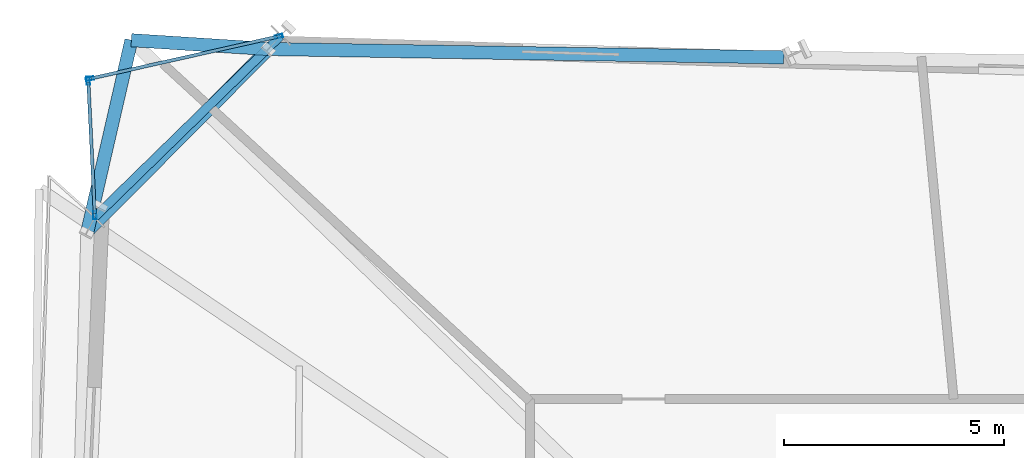
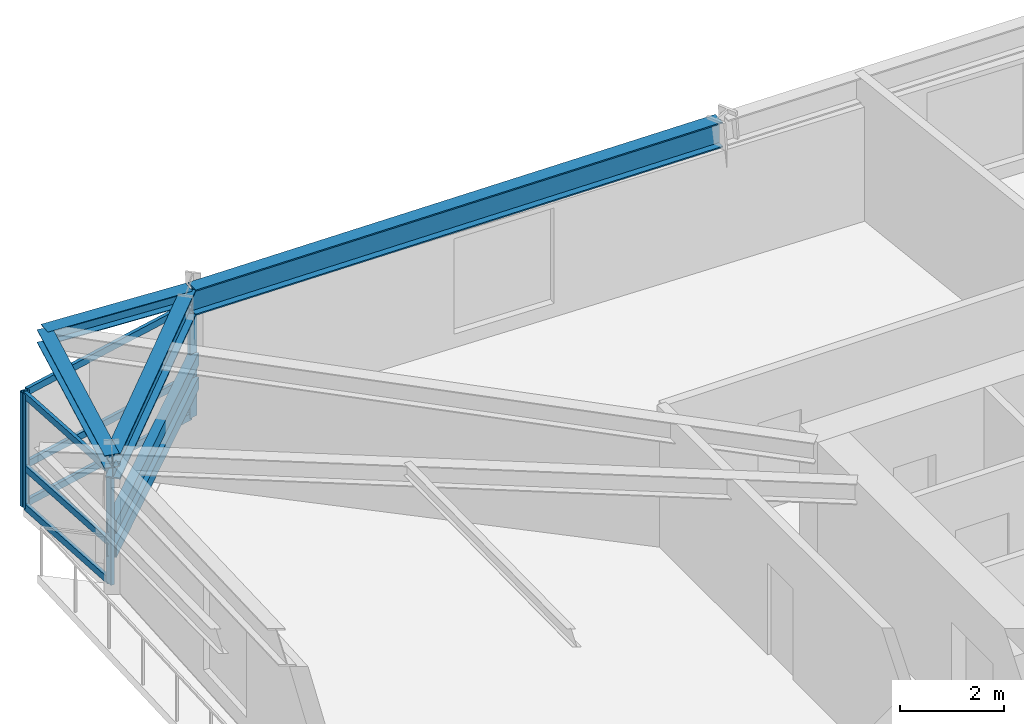
# One storey, part 8 of 19: 12 members, 4 beams, 2 elements without a shape of their own.
"""IFC4 building model written with IfcOpenShell, lengths in metres."""

from ifc_helpers import new_model, si_unit, direction, frame, origin, origin_2d, place, context, subcontext, project, spatial, hollow_rectangle, i_section, extrude, source, transform, mapped, material, material_profile, profile_set, type_object, element, aggregate, save


model = new_model("IFC4")

# Units and contexts
model_context = context("Model", 3, precision=1e-05, world=origin(), true_north=direction((0.0, 1.0)))
body_context = subcontext(model_context, "Body", "Model", "MODEL_VIEW")
ifc_project = project(units=[si_unit("LENGTHUNIT", "METRE"), si_unit("AREAUNIT", "SQUARE_METRE"), si_unit("VOLUMEUNIT", "CUBIC_METRE"), si_unit("PLANEANGLEUNIT", "RADIAN"), si_unit("MASSUNIT", "GRAM", prefix="KILO")], contexts=[model_context])

# Site, building, storey
site_placement = place(None, origin())
site = spatial("IfcSite", under=ifc_project, at=site_placement, CompositionType="ELEMENT")
building_placement = place(site_placement, origin())
building = spatial("IfcBuilding", under=site, at=building_placement, Name="Olszyna Solenne Hotel", CompositionType="ELEMENT")
storey_placement = place(building_placement, frame((0.0, 0.0, 84.39990234375)))
storey = spatial("IfcBuildingStorey", under=building, at=storey_placement, Name="L21", CompositionType="ELEMENT", Elevation=84.39990234375)

# Beams
ifc_material_1 = material(Name="Steel S355J2", Category="steel")
ifc_material_profile_1 = material_profile(ifc_material_1, i_section(OverallWidth=0.300048828125, OverallDepth=0.60009765625, WebThickness=0.015380859375, FlangeThickness=0.030029296875, at=origin_2d()), Name="HEB 600", Category="load-bearing")
ifc_profile_set_1 = profile_set([ifc_material_profile_1], Name="Steel S355J2")
beam_type_1 = type_object("IfcBeamType", Name="BM-S2", PredefinedType="BEAM", material=ifc_profile_set_1)
shared_shape_1 = source(origin(), body_context, "Body", "SweptSolid", [
    extrude(i_section(OverallWidth=0.300048828125, OverallDepth=0.60009765625, WebThickness=0.015380859375, FlangeThickness=0.030029296875, at=origin_2d()), origin(), (0.0, 0.0, 1.0), 11.651611328125),
])
beam_1_placement = place(storey_placement, frame((33.2177734375, 44.1123046875, 3.0), z_axis=(-0.999867119896, 0.016301611921, 0.0), x_axis=(-0.016301611921, -0.999867119896, 0.0)))
element("IfcBeam", 1, at=beam_1_placement, inside=storey, type_object=beam_type_1, Name="Perimeter spandrel beam BM-S2 B-L21-0636", PredefinedType="BEAM", context=body_context, shape_type="MappedRepresentation", body=[
    mapped(shared_shape_1, transform((0.0, 0.0, 0.0), x_axis=(1.0, 0.0, 0.0), y_axis=(0.0, 1.0, 0.0), z_axis=(0.0, 0.0, 1.0), scale=1.0)),
])
shared_shape_2 = source(origin(), body_context, "Body", "SweptSolid", [
    extrude(i_section(OverallWidth=0.300048828125, OverallDepth=0.60009765625, WebThickness=0.015380859375, FlangeThickness=0.030029296875, at=origin_2d()), origin(), (0.0, 0.0, 1.0), 5.715087890625),
])
beam_2_placement = place(storey_placement, frame((21.46533203125, 44.260498046875, 3.0), z_axis=(-0.704603317342, -0.7096014129, 0.0), x_axis=(0.7096014129, -0.704603317342, 0.0)))
element("IfcBeam", 2, at=beam_2_placement, inside=storey, type_object=beam_type_1, Name="Perimeter spandrel beam BM-S2 B-L21-0637", PredefinedType="BEAM", context=body_context, shape_type="MappedRepresentation", body=[
    mapped(shared_shape_2, transform((0.0, 0.0, 0.0), x_axis=(1.0, 0.0, 0.0), y_axis=(0.0, 1.0, 0.0), z_axis=(0.0, 0.0, 1.0), scale=1.0)),
])
ifc_material_profile_2 = material_profile(ifc_material_1, i_section(OverallWidth=0.300048828125, OverallDepth=0.31005859375, WebThickness=0.009033203125, FlangeThickness=0.015380859375, at=origin_2d()), Name="HEA 320", Category="load-bearing")
ifc_profile_set_2 = profile_set([ifc_material_profile_2], Name="Steel S355J2")
beam_type_2 = type_object("IfcBeamType", Name="BM-G3", PredefinedType="BEAM", material=ifc_profile_set_2)
shared_shape_3 = source(origin(), body_context, "Body", "SweptSolid", [
    extrude(i_section(OverallWidth=0.300048828125, OverallDepth=0.31005859375, WebThickness=0.009033203125, FlangeThickness=0.015380859375, at=origin_2d()), origin(), (0.0, 0.0, 1.0), 3.119384765625),
])
beam_3_placement = place(storey_placement, frame((21.507568359375, 44.30322265625, 3.14501953125), z_axis=(-0.997943597701, 0.064098173203, 0.0), x_axis=(-0.064098173203, -0.997943597701, 0.0)))
element("IfcBeam", 3, at=beam_3_placement, inside=storey, type_object=beam_type_2, Name="Prism side edge beam BM-G3 B-L21-0654", PredefinedType="BEAM", context=body_context, shape_type="MappedRepresentation", body=[
    mapped(shared_shape_3, transform((0.0, 0.0, 0.0), x_axis=(1.0, 0.0, 0.0), y_axis=(0.0, 1.0, 0.0), z_axis=(0.0, 0.0, 1.0), scale=1.0)),
])
shared_shape_4 = source(origin(), body_context, "Body", "SweptSolid", [
    extrude(i_section(OverallWidth=0.300048828125, OverallDepth=0.31005859375, WebThickness=0.009033203125, FlangeThickness=0.015380859375, at=origin_2d()), origin(), (0.0, 0.0, 1.0), 4.453857421875),
])
beam_4_placement = place(storey_placement, frame((17.396240234375, 40.16259765625, 3.14501953125), z_axis=(0.224138842534, 0.974557222162, 0.0), x_axis=(-0.974557222162, 0.224138842534, 0.0)))
element("IfcBeam", 4, at=beam_4_placement, inside=storey, type_object=beam_type_2, Name="Prism side edge beam BM-G3 B-L21-0655", PredefinedType="BEAM", context=body_context, shape_type="MappedRepresentation", body=[
    mapped(shared_shape_4, transform((0.0, 0.0, 0.0), x_axis=(1.0, 0.0, 0.0), y_axis=(0.0, 1.0, 0.0), z_axis=(0.0, 0.0, 1.0), scale=1.0)),
])

# Members
ifc_material_profile_3 = material_profile(ifc_material_1, hollow_rectangle(XDim=0.199951171875, YDim=0.300048828125, WallThickness=0.01611328125, at=origin_2d()), Name="RHS 300x200x16", Category="load-bearing")
ifc_profile_set_3 = profile_set([ifc_material_profile_3], Name="Steel S355J2")
member_type_1 = type_object("IfcMemberType", Name="CH-PR1", PredefinedType="CHORD", material=ifc_profile_set_3)
shared_shape_5 = source(origin(), body_context, "Body", "SweptSolid", [
    extrude(hollow_rectangle(XDim=0.199951171875, YDim=0.300048828125, WallThickness=0.01611328125, at=origin_2d()), origin(), (0.0, 0.0, 1.0), 5.88818359375),
])
for number, where, z_axis, x_axis, name in (
    (5, (21.78076171875, 44.597900390625, 1.35009765625), (-0.715658090364, -0.698450784019, 0.0), (0.698450784019, -0.715658090364, 0.0), "Glass-prism tie chord CH-PR1 M-L21-PR1"),
    (6, (21.78076171875, 44.597900390625, 0.780029296875), (-0.715658090364, -0.698450784019, 0.0), (0.698450784019, -0.715658090364, 0.0), "Glass-prism tie chord CH-PR1 M-L21-PR2"),
):
    element("IfcMember", number, at=place(storey_placement, frame(where, z_axis=z_axis, x_axis=x_axis)), inside=storey, type_object=member_type_1, Name=name, PredefinedType="CHORD", context=body_context, shape_type="MappedRepresentation", body=[
        mapped(shared_shape_5, transform((0.0, 0.0, 0.0), x_axis=(1.0, 0.0, 0.0), y_axis=(0.0, 1.0, 0.0), z_axis=(0.0, 0.0, 1.0), scale=1.0)),
    ])

# Curtain wall, members
ifc_material_2 = material(Name="Anodised bronze aluminium", Category="aluminium")
curtain_wall_type = type_object("IfcCurtainWallType", Name="CW-SYS-5", PredefinedType="NOTDEFINED", material=ifc_material_2)
curtain_wall_1_placement = place(storey_placement, origin())
curtain_wall_1 = element("IfcCurtainWall", 7, at=curtain_wall_1_placement, inside=storey, type_object=curtain_wall_type, Name="Unitised curtain wall CW-SYS-5 CW-L21-02", PredefinedType="NOTDEFINED")
ifc_material_profile_4 = material_profile(ifc_material_2, hollow_rectangle(XDim=0.074951171875, YDim=0.179931640625, WallThickness=0.00439453125, at=origin_2d()), Name="MULL 180x75x4.5", Category="load-bearing")
ifc_profile_set_4 = profile_set([ifc_material_profile_4], Name="Anodised bronze aluminium")
member_type_2 = type_object("IfcMemberType", Name="CW-M2", PredefinedType="MULLION", material=ifc_profile_set_4)
shared_shape_6 = source(origin(), body_context, "Body", "SweptSolid", [
    extrude(hollow_rectangle(XDim=0.074951171875, YDim=0.179931640625, WallThickness=0.00439453125, at=origin_2d()), origin(), (0.0, 0.0, 1.0), 2.692138671875),
])
member_1_placement = place(storey_placement, frame((17.41455078125, 43.5810546875, 0.0), z_axis=(0.0, 0.0, 1.0), x_axis=(0.998791144304, 0.049155366541, 0.0)))
member_1 = element("IfcMember", 8, at=member_1_placement, type_object=member_type_2, Name="Curtain-wall mullion CW-M2 CM-L21-02-01", PredefinedType="MULLION", context=body_context, shape_type="MappedRepresentation", body=[
    mapped(shared_shape_6, transform((0.0, 0.0, 0.0), x_axis=(1.0, 0.0, 0.0), y_axis=(0.0, 1.0, 0.0), z_axis=(0.0, 0.0, 1.0), scale=1.0)),
])
member_2_placement = place(storey_placement, frame((17.565185546875, 40.52294921875, 0.0), z_axis=(0.0, 0.0, 1.0), x_axis=(0.998791144304, 0.049155366541, 0.0)))
member_2 = element("IfcMember", 9, at=member_2_placement, type_object=member_type_2, Name="Curtain-wall mullion CW-M2 CM-L21-02-02", PredefinedType="MULLION", context=body_context, shape_type="MappedRepresentation", body=[
    mapped(shared_shape_6, transform((0.0, 0.0, 0.0), x_axis=(1.0, 0.0, 0.0), y_axis=(0.0, 1.0, 0.0), z_axis=(0.0, 0.0, 1.0), scale=1.0)),
])

curtain_wall_2_placement = place(storey_placement, origin())
curtain_wall_2 = element("IfcCurtainWall", 10, at=curtain_wall_2_placement, inside=storey, type_object=curtain_wall_type, Name="Unitised curtain wall CW-SYS-5 CW-L21-03", PredefinedType="NOTDEFINED")
member_3_placement = place(storey_placement, frame((17.449462890625, 43.626708984375, 0.0), z_axis=(0.0, 0.0, 1.0), x_axis=(-0.218767933736, 0.975776916702, 0.0)))
member_3 = element("IfcMember", 11, at=member_3_placement, type_object=member_type_2, Name="Curtain-wall mullion CW-M2 CM-L21-03-01", PredefinedType="MULLION", context=body_context, shape_type="MappedRepresentation", body=[
    mapped(shared_shape_6, transform((0.0, 0.0, 0.0), x_axis=(1.0, 0.0, 0.0), y_axis=(0.0, 1.0, 0.0), z_axis=(0.0, 0.0, 1.0), scale=1.0)),
])
member_4_placement = place(storey_placement, frame((21.744140625, 44.589599609375, 0.0), z_axis=(0.0, 0.0, 1.0), x_axis=(-0.218767933736, 0.975776916702, 0.0)))
member_4 = element("IfcMember", 12, at=member_4_placement, type_object=member_type_2, Name="Curtain-wall mullion CW-M2 CM-L21-03-02", PredefinedType="MULLION", context=body_context, shape_type="MappedRepresentation", body=[
    mapped(shared_shape_6, transform((0.0, 0.0, 0.0), x_axis=(1.0, 0.0, 0.0), y_axis=(0.0, 1.0, 0.0), z_axis=(0.0, 0.0, 1.0), scale=1.0)),
])

# Member
ifc_material_profile_5 = material_profile(ifc_material_2, hollow_rectangle(XDim=0.074951171875, YDim=0.159912109375, WallThickness=0.00390625, at=origin_2d()), Name="TRAN 160x75x4", Category="load-bearing")
ifc_profile_set_5 = profile_set([ifc_material_profile_5], Name="Anodised bronze aluminium")
member_type_3 = type_object("IfcMemberType", Name="CW-T1", PredefinedType="USERDEFINED", material=ifc_profile_set_5)
shared_shape_7 = source(origin(), body_context, "Body", "SweptSolid", [
    extrude(hollow_rectangle(XDim=0.074951171875, YDim=0.159912109375, WallThickness=0.00390625, at=origin_2d()), origin(), (0.0, 0.0, 1.0), 2.987060546875),
])
member_5_placement = place(storey_placement, frame((17.41650390625, 43.543701171875, 0.03759765625), z_axis=(0.049122295873, -0.998792771324, 0.0), x_axis=(0.998792771324, 0.049122295873, 0.0)))
member_5 = element("IfcMember", 13, at=member_5_placement, type_object=member_type_3, Name="Curtain-wall transom CW-T1 CT-L21-02-01", ObjectType="TRANSOM", PredefinedType="USERDEFINED", context=body_context, shape_type="MappedRepresentation", body=[
    mapped(shared_shape_7, transform((0.0, 0.0, 0.0), x_axis=(1.0, 0.0, 0.0), y_axis=(0.0, 1.0, 0.0), z_axis=(0.0, 0.0, 1.0), scale=1.0)),
])

member_6_placement = place(storey_placement, frame((17.41650390625, 43.543701171875, 0.9501953125), z_axis=(0.049122295873, -0.998792771324, 0.0), x_axis=(0.998792771324, 0.049122295873, 0.0)))
member_6 = element("IfcMember", 14, at=member_6_placement, type_object=member_type_3, Name="Curtain-wall transom CW-T1 CT-L21-02-02", ObjectType="TRANSOM", PredefinedType="USERDEFINED", context=body_context, shape_type="MappedRepresentation", body=[
    mapped(shared_shape_7, transform((0.0, 0.0, 0.0), x_axis=(1.0, 0.0, 0.0), y_axis=(0.0, 1.0, 0.0), z_axis=(0.0, 0.0, 1.0), scale=1.0)),
])

member_7_placement = place(storey_placement, frame((17.41650390625, 43.543701171875, 2.654541015625), z_axis=(0.049122295873, -0.998792771324, 0.0), x_axis=(0.998792771324, 0.049122295873, 0.0)))
member_7 = element("IfcMember", 15, at=member_7_placement, type_object=member_type_3, Name="Curtain-wall transom CW-T1 CT-L21-02-03", ObjectType="TRANSOM", PredefinedType="USERDEFINED", context=body_context, shape_type="MappedRepresentation", body=[
    mapped(shared_shape_7, transform((0.0, 0.0, 0.0), x_axis=(1.0, 0.0, 0.0), y_axis=(0.0, 1.0, 0.0), z_axis=(0.0, 0.0, 1.0), scale=1.0)),
])

aggregate(curtain_wall_1, [member_1, member_2, member_5, member_6, member_7])

shared_shape_8 = source(origin(), body_context, "Body", "SweptSolid", [
    extrude(hollow_rectangle(XDim=0.074951171875, YDim=0.159912109375, WallThickness=0.00390625, at=origin_2d()), origin(), (0.0, 0.0, 1.0), 4.326171875),
])
member_8_placement = place(storey_placement, frame((17.486083984375, 43.635009765625, 0.03759765625), z_axis=(0.975772339188, 0.218788349953, 0.0), x_axis=(-0.218788349953, 0.975772339188, 0.0)))
member_8 = element("IfcMember", 16, at=member_8_placement, type_object=member_type_3, Name="Curtain-wall transom CW-T1 CT-L21-03-01", ObjectType="TRANSOM", PredefinedType="USERDEFINED", context=body_context, shape_type="MappedRepresentation", body=[
    mapped(shared_shape_8, transform((0.0, 0.0, 0.0), x_axis=(1.0, 0.0, 0.0), y_axis=(0.0, 1.0, 0.0), z_axis=(0.0, 0.0, 1.0), scale=1.0)),
])

member_9_placement = place(storey_placement, frame((17.486083984375, 43.635009765625, 0.9501953125), z_axis=(0.975772339188, 0.218788349953, 0.0), x_axis=(-0.218788349953, 0.975772339188, 0.0)))
member_9 = element("IfcMember", 17, at=member_9_placement, type_object=member_type_3, Name="Curtain-wall transom CW-T1 CT-L21-03-02", ObjectType="TRANSOM", PredefinedType="USERDEFINED", context=body_context, shape_type="MappedRepresentation", body=[
    mapped(shared_shape_8, transform((0.0, 0.0, 0.0), x_axis=(1.0, 0.0, 0.0), y_axis=(0.0, 1.0, 0.0), z_axis=(0.0, 0.0, 1.0), scale=1.0)),
])

member_10_placement = place(storey_placement, frame((17.486083984375, 43.635009765625, 2.654541015625), z_axis=(0.975772339188, 0.218788349953, 0.0), x_axis=(-0.218788349953, 0.975772339188, 0.0)))
member_10 = element("IfcMember", 18, at=member_10_placement, type_object=member_type_3, Name="Curtain-wall transom CW-T1 CT-L21-03-03", ObjectType="TRANSOM", PredefinedType="USERDEFINED", context=body_context, shape_type="MappedRepresentation", body=[
    mapped(shared_shape_8, transform((0.0, 0.0, 0.0), x_axis=(1.0, 0.0, 0.0), y_axis=(0.0, 1.0, 0.0), z_axis=(0.0, 0.0, 1.0), scale=1.0)),
])

aggregate(curtain_wall_2, [member_3, member_4, member_8, member_9, member_10])

save(model, "model.ifc")
